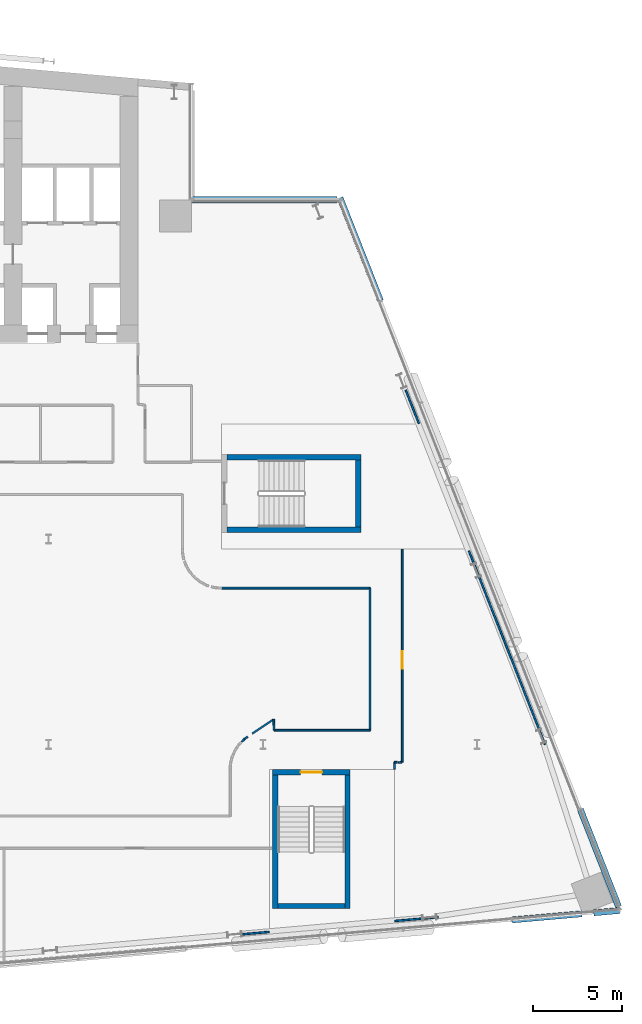
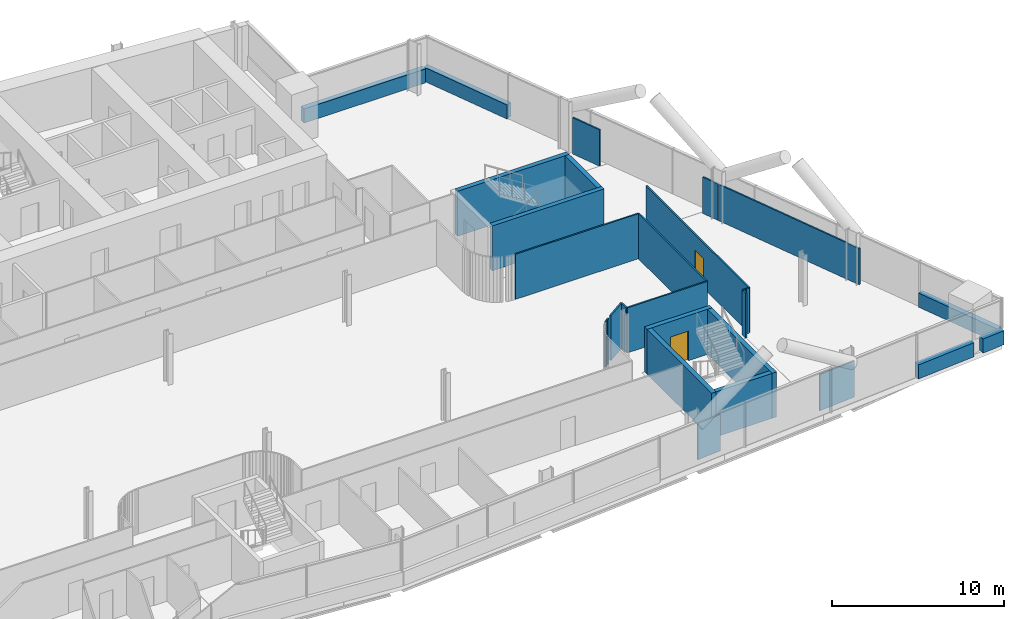
# One storey, part 23 of 30: 28 walls, 2 doors, 2 openings.
"""IFC4 building model written with IfcOpenShell, lengths in metres."""

from ifc_helpers import new_model, si_unit, direction, frame, frame_2d, origin, place, context, subcontext, project, spatial, rectangle, extrude, material, layer, layer_set, type_object, element, fill, save


model = new_model("IFC4")

# Units and contexts
model_context = context("Model", 3, precision=1e-05, world=origin(), true_north=direction((0.0, 1.0)))
body_context = subcontext(model_context, "Body", "Model", "MODEL_VIEW")
ifc_project = project(units=[si_unit("LENGTHUNIT", "METRE"), si_unit("AREAUNIT", "SQUARE_METRE"), si_unit("VOLUMEUNIT", "CUBIC_METRE"), si_unit("PLANEANGLEUNIT", "RADIAN"), si_unit("MASSUNIT", "GRAM", prefix="KILO")], contexts=[model_context])

# Site, building, storey
site_placement = place(None, origin())
site = spatial("IfcSite", under=ifc_project, at=site_placement, CompositionType="ELEMENT")
building_placement = place(site_placement, origin())
building = spatial("IfcBuilding", under=site, at=building_placement, Name="Wharfspan Tower", CompositionType="ELEMENT")
storey_placement = place(building_placement, frame((0.0, 0.0, 107.5)))
storey = spatial("IfcBuildingStorey", under=building, at=storey_placement, Name="L24", CompositionType="ELEMENT", Elevation=107.5)

# Walls
ifc_material_1 = material(Name="Gypsum board on steel studs", Category="steel")
ifc_layer_1 = layer(ifc_material_1, 0.100098)
ifc_layer_set_1 = layer_set([ifc_layer_1], Name="Gypsum board on steel studs")
wall_type_1 = type_object("IfcWallType", Name="Compartment wall 100 EI 60", PredefinedType="PARTITIONING", material=ifc_layer_set_1)
wall_1_placement = place(storey_placement, frame((69.689941, 20.25, 0.0), z_axis=(0.0, 0.0, 1.0), x_axis=(1.0, 0.0, 0.0)))
element("IfcWall", 1, at=wall_1_placement, inside=storey, type_object=wall_type_1, Name="Partition L24.w100", PredefinedType="PARTITIONING", context=body_context, shape_type="SweptSolid", body=[
    extrude(rectangle(XDim=8.310059, YDim=0.100098, at=frame_2d((4.155029, 0.0))), origin(), (0.0, 0.0, 1.0), 3.199951),
])
wall_2_placement = place(storey_placement, frame((70.810059, 11.649902, 0.0), z_axis=(0.0, 0.0, 1.0), x_axis=(0.740762, 0.671775, 0.0)))
element("IfcWall", 2, at=wall_2_placement, inside=storey, type_object=wall_type_1, Name="Partition L24.w112", PredefinedType="PARTITIONING", context=body_context, shape_type="SweptSolid", body=[
    extrude(rectangle(XDim=0.21582, YDim=0.100098, at=frame_2d((0.10791, 0.0))), origin(), (0.0, 0.0, 1.0), 3.199951),
])
wall_3_placement = place(storey_placement, frame((70.969971, 11.794922, 0.0), z_axis=(0.0, 0.0, 1.0), x_axis=(0.802549, 0.596595, 0.0)))
element("IfcWall", 3, at=wall_3_placement, inside=storey, type_object=wall_type_1, Name="Partition L24.w113", PredefinedType="PARTITIONING", context=body_context, shape_type="SweptSolid", body=[
    extrude(rectangle(XDim=0.218018, YDim=0.100098, at=frame_2d((0.108887, 0.0))), origin(), (0.0, 0.0, 1.0), 3.199951),
])
wall_4_placement = place(storey_placement, frame((71.399902, 12.100098, 0.0), z_axis=(0.0, 0.0, 1.0), x_axis=(0.83215, 0.554541, 0.0)))
element("IfcWall", 4, at=wall_4_placement, inside=storey, type_object=wall_type_1, Name="Partition L24.w114", PredefinedType="PARTITIONING", context=body_context, shape_type="SweptSolid", body=[
    extrude(rectangle(XDim=1.442383, YDim=0.100098, at=frame_2d((0.721191, 0.0))), origin(), (0.0, 0.0, 1.0), 3.199951),
])
wall_5_placement = place(storey_placement, frame((72.625, 12.294922, 0.0), z_axis=(0.0, 0.0, 1.0), x_axis=(1.0, 0.0, 0.0)))
element("IfcWall", 5, at=wall_5_placement, inside=storey, type_object=wall_type_1, Name="Partition L24.w115", PredefinedType="PARTITIONING", context=body_context, shape_type="SweptSolid", body=[
    extrude(rectangle(XDim=5.375, YDim=0.100098, at=frame_2d((2.6875, 0.0))), origin(), (0.0, 0.0, 1.0), 3.199951),
])
wall_6_placement = place(storey_placement, frame((72.625, 12.294922, 0.0), z_axis=(0.0, 0.0, 1.0), x_axis=(-0.041127, 0.99915, 0.0)))
element("IfcWall", 6, at=wall_6_placement, inside=storey, type_object=wall_type_1, Name="Partition L24.w116", PredefinedType="PARTITIONING", context=body_context, shape_type="SweptSolid", body=[
    extrude(rectangle(XDim=0.605469, YDim=0.100098, at=frame_2d((0.302734, 0.0))), origin(), (0.0, 0.0, 1.0), 3.199951),
])
wall_7_placement = place(storey_placement, frame((78.0, 12.294922, 0.0), z_axis=(0.0, 0.0, 1.0), x_axis=(0.0, 1.0, 0.0)))
element("IfcWall", 7, at=wall_7_placement, inside=storey, type_object=wall_type_1, Name="Partition L24.w117", PredefinedType="PARTITIONING", context=body_context, shape_type="SweptSolid", body=[
    extrude(rectangle(XDim=7.955078, YDim=0.100098, at=frame_2d((3.977539, 0.0))), origin(), (0.0, 0.0, 1.0), 3.199951),
])
wall_8_placement = place(storey_placement, frame((79.36499, 10.114746, 0.0), z_axis=(0.0, 0.0, 1.0), x_axis=(0.0, 1.0, 0.0)))
element("IfcWall", 8, at=wall_8_placement, inside=storey, type_object=wall_type_1, Name="Partition L24.w118", PredefinedType="PARTITIONING", context=body_context, shape_type="SweptSolid", body=[
    extrude(rectangle(XDim=0.380371, YDim=0.100098, at=frame_2d((0.190186, 0.0))), origin(), (0.0, 0.0, 1.0), 3.199951),
])
wall_9_placement = place(storey_placement, frame((79.36499, 10.495117, 0.0), z_axis=(0.0, 0.0, 1.0), x_axis=(1.0, 0.0, 0.0)))
element("IfcWall", 9, at=wall_9_placement, inside=storey, type_object=wall_type_1, Name="Partition L24.w119", PredefinedType="PARTITIONING", context=body_context, shape_type="SweptSolid", body=[
    extrude(rectangle(XDim=0.169922, YDim=0.100098, at=frame_2d((0.084961, 0.0))), origin(), (0.0, 0.0, 1.0), 3.199951),
])
wall_10_placement = place(storey_placement, frame((79.590088, 10.485107, 0.0), z_axis=(0.0, 0.0, 1.0), x_axis=(0.998455, 0.055545, 0.0)))
element("IfcWall", 10, at=wall_10_placement, inside=storey, type_object=wall_type_1, Name="Partition L24.w121", PredefinedType="PARTITIONING", context=body_context, shape_type="SweptSolid", body=[
    extrude(rectangle(XDim=0.180176, YDim=0.100098, at=frame_2d((0.090088, 0.0))), origin(), (0.0, 0.0, 1.0), 3.199951),
])

# Wall, opening, door
wall_11_placement = place(storey_placement, frame((79.800049, 10.495117, 0.0), z_axis=(0.0, 0.0, 1.0), x_axis=(0.0, 1.0, 0.0)))
wall_11 = element("IfcWall", 11, at=wall_11_placement, inside=storey, type_object=wall_type_1, Name="Partition L24.w122", PredefinedType="PARTITIONING", context=body_context, shape_type="SweptSolid", body=[
    extrude(rectangle(XDim=11.934814, YDim=0.100098, at=frame_2d((5.967285, 0.0))), origin(), (0.0, 0.0, 1.0), 3.199951),
])
opening_1_placement = place(wall_11_placement, frame((5.229736, 0.0, 0.0)))
opening_1 = element("IfcOpeningElement", 12, at=opening_1_placement, cuts=wall_11, Name="Opening B2-10", PredefinedType="OPENING", context=body_context, shape_type="SweptSolid", body=[
    extrude(rectangle(XDim=1.0, YDim=2.100098, at=frame_2d((0.5, 1.050049))), frame((0.0, 0.060059, 0.0), z_axis=(0.0, -1.0, 0.0), x_axis=(1.0, 0.0, 0.0)), (0.0, 0.0, 1.0), 0.120117),
])
ifc_material_2 = material(Name="Fire-rated timber door leaf in steel frame", Category="steel")
door_type_1 = type_object("IfcDoorType", Name="Door 1000 FD30S Left", OperationType="SINGLE_SWING_LEFT", PredefinedType="DOOR", material=ifc_material_2)
door_1_placement = place(opening_1_placement, origin())
door_1 = element("IfcDoor", 13, at=door_1_placement, inside=storey, type_object=door_type_1, Name="Door B2-10", OperationType="SINGLE_SWING_LEFT", OverallHeight=2.100098, OverallWidth=1.0, PredefinedType="DOOR", context=body_context, shape_type="SweptSolid", body=[
    extrude(rectangle(XDim=1.0, YDim=2.100098, at=frame_2d((0.5, 1.050049))), frame((0.0, 0.024902, 0.0), z_axis=(0.0, -1.0, 0.0), x_axis=(1.0, 0.0, 0.0)), (0.0, 0.0, 1.0), 0.050049),
])
fill(opening_1, door_1)

# Walls
ifc_layer_2 = layer(ifc_material_1, 0.100098)
ifc_layer_set_2 = layer_set([ifc_layer_2], Name="Gypsum board on steel studs")
wall_type_2 = type_object("IfcWallType", Name="Partition 100", PredefinedType="PARTITIONING", material=ifc_layer_set_2)
wall_12_placement = place(storey_placement, frame((70.75, 0.850098, 0.0), z_axis=(0.0, 0.0, 1.0), x_axis=(0.995996, 0.089437, 0.0)))
element("IfcWall", 14, at=wall_12_placement, inside=storey, type_object=wall_type_2, Name="Partition L24.w111", PredefinedType="PARTITIONING", context=body_context, shape_type="SweptSolid", body=[
    extrude(rectangle(XDim=1.602295, YDim=0.100098, at=frame_2d((0.80127, 0.0))), origin(), (0.0, 0.0, 1.0), 2.580078),
])
wall_13_placement = place(storey_placement, frame((79.385986, 1.606689, 0.0), z_axis=(0.0, 0.0, 1.0), x_axis=(0.996209, 0.086973, 0.0)))
element("IfcWall", 15, at=wall_13_placement, inside=storey, type_object=wall_type_2, Name="Partition L24.w120", PredefinedType="PARTITIONING", context=body_context, shape_type="SweptSolid", body=[
    extrude(rectangle(XDim=2.453369, YDim=0.100098, at=frame_2d((1.226562, 0.0))), origin(), (0.0, 0.0, 1.0), 2.580078),
])
wall_14_placement = place(storey_placement, frame((80.737061, 29.469971, 0.0), z_axis=(0.0, 0.0, 1.0), x_axis=(-0.365847, 0.930674, 0.0)))
element("IfcWall", 16, at=wall_14_placement, inside=storey, type_object=wall_type_2, Name="Partition L24.w123", PredefinedType="PARTITIONING", context=body_context, shape_type="SweptSolid", body=[
    extrude(rectangle(XDim=2.014648, YDim=0.100098, at=frame_2d((1.007324, 0.0))), origin(), (0.0, 0.0, 1.0), 2.580078),
])
wall_15_placement = place(storey_placement, frame((83.959961, 21.264893, 0.0), z_axis=(0.0, 0.0, 1.0), x_axis=(-0.364889, 0.931052, 0.0)))
element("IfcWall", 17, at=wall_15_placement, inside=storey, type_object=wall_type_2, Name="Partition L24.w124", PredefinedType="PARTITIONING", context=body_context, shape_type="SweptSolid", body=[
    extrude(rectangle(XDim=1.147461, YDim=0.100098, at=frame_2d((0.57373, 0.0))), origin(), (0.0, 0.0, 1.0), 2.580078),
])
wall_16_placement = place(storey_placement, frame((87.800049, 11.5, 0.0), z_axis=(0.0, 0.0, 1.0), x_axis=(-0.365945, 0.930635, 0.0)))
element("IfcWall", 18, at=wall_16_placement, inside=storey, type_object=wall_type_2, Name="Partition L24.w125", PredefinedType="PARTITIONING", context=body_context, shape_type="SweptSolid", body=[
    extrude(rectangle(XDim=10.463623, YDim=0.100098, at=frame_2d((5.231934, 0.0))), origin(), (0.0, 0.0, 1.0), 2.580078),
])
ifc_material_3 = material(Name="Concrete C40/50", Category="concrete")
ifc_layer_3 = layer(ifc_material_3, 0.350098)
ifc_layer_set_3 = layer_set([ifc_layer_3], Name="Concrete C40/50")
wall_type_3 = type_object("IfcWallType", Name="SPANDREL EXPOSED CONCRETE 350", PredefinedType="SOLIDWALL", material=ifc_layer_set_3)
wall_17_placement = place(storey_placement, frame((85.958984, 1.666504, 0.0), z_axis=(0.0, 0.0, 1.0), x_axis=(0.996194, 0.087167, 0.0)))
element("IfcWall", 19, at=wall_17_placement, inside=storey, type_object=wall_type_3, Name="Spandrel upstand L24 S2 2", PredefinedType="SOLIDWALL", context=body_context, shape_type="SweptSolid", body=[
    extrude(rectangle(XDim=3.921143, YDim=0.350098, at=frame_2d((1.960449, 0.0))), origin(), (0.0, 0.0, 1.0), 1.0),
])
wall_18_placement = place(storey_placement, frame((90.5271, 2.066162, 0.0), z_axis=(0.0, 0.0, 1.0), x_axis=(0.996198, 0.087157, 0.0)))
element("IfcWall", 20, at=wall_18_placement, inside=storey, type_object=wall_type_3, Name="Spandrel upstand L24 S2 3", PredefinedType="SOLIDWALL", context=body_context, shape_type="SweptSolid", body=[
    extrude(rectangle(XDim=1.479004, YDim=0.350098, at=frame_2d((0.739502, 0.0))), origin(), (0.0, 0.0, 1.0), 1.0),
])
wall_19_placement = place(storey_placement, frame((91.921387, 2.413574, 0.0), z_axis=(0.0, 0.0, 1.0), x_axis=(-0.36578, 0.930701, 0.0)))
element("IfcWall", 21, at=wall_19_placement, inside=storey, type_object=wall_type_3, Name="Spandrel upstand L24 E 1", PredefinedType="SOLIDWALL", context=body_context, shape_type="SweptSolid", body=[
    extrude(rectangle(XDim=5.851562, YDim=0.350098, at=frame_2d((2.925781, 0.0))), origin(), (0.0, 0.0, 1.0), 1.0),
])
wall_20_placement = place(storey_placement, frame((78.586426, 36.343994, 0.0), z_axis=(0.0, 0.0, 1.0), x_axis=(-0.365792, 0.930699, 0.0)))
element("IfcWall", 22, at=wall_20_placement, inside=storey, type_object=wall_type_3, Name="Spandrel upstand L24 E 2", PredefinedType="SOLIDWALL", context=body_context, shape_type="SweptSolid", body=[
    extrude(rectangle(XDim=6.20166, YDim=0.350098, at=frame_2d((3.10083, 0.0))), origin(), (0.0, 0.0, 1.0), 1.0),
])
wall_21_placement = place(storey_placement, frame((76.155029, 42.004883, 0.0), z_axis=(0.0, 0.0, 1.0), x_axis=(-1.0, 0.0, 0.0)))
element("IfcWall", 23, at=wall_21_placement, inside=storey, type_object=wall_type_3, Name="Spandrel upstand L24 NRE-H", PredefinedType="SOLIDWALL", context=body_context, shape_type="SweptSolid", body=[
    extrude(rectangle(XDim=8.155029, YDim=0.350098, at=frame_2d((4.077637, 0.0))), origin(), (0.0, 0.0, 1.0), 1.0),
])

# Wall, opening, door
ifc_layer_4 = layer(ifc_material_3, 0.300049)
ifc_layer_set_4 = layer_set([ifc_layer_4], Name="Concrete C40/50")
wall_type_4 = type_object("IfcWallType", Name="Stair core wall 300", PredefinedType="SHEAR", material=ifc_layer_set_4)
wall_22_placement = place(storey_placement, frame((72.541016, 9.94458, 0.0), z_axis=(0.0, 0.0, 1.0), x_axis=(1.0, 0.0, 0.0)))
wall_22 = element("IfcWall", 24, at=wall_22_placement, inside=storey, type_object=wall_type_4, Name="ST5 stair enclosure wall L24", PredefinedType="SHEAR", context=body_context, shape_type="SweptSolid", body=[
    extrude(rectangle(XDim=4.350098, YDim=0.300049, at=frame_2d((2.175049, 0.0))), origin(), (0.0, 0.0, 1.0), 3.199951),
])
opening_2_placement = place(wall_22_placement, frame((1.574951, 0.0, 0.0)))
opening_2 = element("IfcOpeningElement", 25, at=opening_2_placement, cuts=wall_22, Name="Opening SD5.L24", PredefinedType="OPENING", context=body_context, shape_type="SweptSolid", body=[
    extrude(rectangle(XDim=1.199951, YDim=2.100098, at=frame_2d((0.600098, 1.050049))), frame((0.0, 0.159912, 0.0), z_axis=(0.0, -1.0, 0.0), x_axis=(1.0, 0.0, 0.0)), (0.0, 0.0, 1.0), 0.320068),
])
ifc_material_4 = material(Name="Steel door leaf", Category="steel")
door_type_2 = type_object("IfcDoorType", Name="Stair door 1200x2100", OperationType="SINGLE_SWING_LEFT", PredefinedType="DOOR", material=ifc_material_4)
door_2_placement = place(opening_2_placement, origin())
door_2 = element("IfcDoor", 26, at=door_2_placement, inside=storey, type_object=door_type_2, Name="sd:L24:ST5z2", OperationType="SINGLE_SWING_RIGHT", OverallHeight=2.100098, OverallWidth=1.199951, PredefinedType="DOOR", context=body_context, shape_type="SweptSolid", body=[
    extrude(rectangle(XDim=1.199951, YDim=2.100098, at=frame_2d((0.600098, 1.050049))), frame((0.0, 0.024902, 0.0), z_axis=(0.0, -1.0, 0.0), x_axis=(1.0, 0.0, 0.0)), (0.0, 0.0, 1.0), 0.050049),
])
fill(opening_2, door_2)

# Walls
for number, where, z_axis, x_axis, name in (
    (27, (72.690918, 2.294678, 0.0), (0.0, 0.0, 1.0), (0.0, 1.0, 0.0), "ST5 stair enclosure wall L24"),
    (28, (76.740967, 2.294678, 0.0), (0.0, 0.0, 1.0), (0.0, 1.0, 0.0), "ST5 stair enclosure wall L24"),
):
    element("IfcWall", number, at=place(storey_placement, frame(where, z_axis=z_axis, x_axis=x_axis)), inside=storey, type_object=wall_type_4, Name=name, PredefinedType="SHEAR", context=body_context, shape_type="SweptSolid", body=[
        extrude(rectangle(XDim=7.5, YDim=0.300049, at=frame_2d((3.75, 0.0))), origin(), (0.0, 0.0, 1.0), 3.199951),
    ])
wall_23_placement = place(storey_placement, frame((72.841064, 2.44458, 0.0), z_axis=(0.0, 0.0, 1.0), x_axis=(1.0, 0.0, 0.0)))
element("IfcWall", 29, at=wall_23_placement, inside=storey, type_object=wall_type_4, Name="ST5 stair enclosure wall L24", PredefinedType="SHEAR", context=body_context, shape_type="SweptSolid", body=[
    extrude(rectangle(XDim=3.75, YDim=0.300049, at=frame_2d((1.875, 0.0))), origin(), (0.0, 0.0, 1.0), 3.199951),
])
for number, where, z_axis, x_axis, name in (
    (30, (69.990479, 23.524902, 0.0), (0.0, 0.0, 1.0), (1.0, 0.0, 0.0), "ST6 stair enclosure wall L24"),
    (31, (69.990479, 27.574951, 0.0), (0.0, 0.0, 1.0), (1.0, 0.0, 0.0), "ST6 stair enclosure wall L24"),
):
    element("IfcWall", number, at=place(storey_placement, frame(where, z_axis=z_axis, x_axis=x_axis)), inside=storey, type_object=wall_type_4, Name=name, PredefinedType="SHEAR", context=body_context, shape_type="SweptSolid", body=[
        extrude(rectangle(XDim=7.5, YDim=0.300049, at=frame_2d((3.75, 0.0))), origin(), (0.0, 0.0, 1.0), 3.199951),
    ])
wall_24_placement = place(storey_placement, frame((77.340332, 23.675049, 0.0), z_axis=(0.0, 0.0, 1.0), x_axis=(0.0, 1.0, 0.0)))
element("IfcWall", 32, at=wall_24_placement, inside=storey, type_object=wall_type_4, Name="ST6 stair enclosure wall L24", PredefinedType="SHEAR", context=body_context, shape_type="SweptSolid", body=[
    extrude(rectangle(XDim=3.75, YDim=0.300049, at=frame_2d((1.875, 0.0))), origin(), (0.0, 0.0, 1.0), 3.199951),
])

save(model, "model.ifc")
